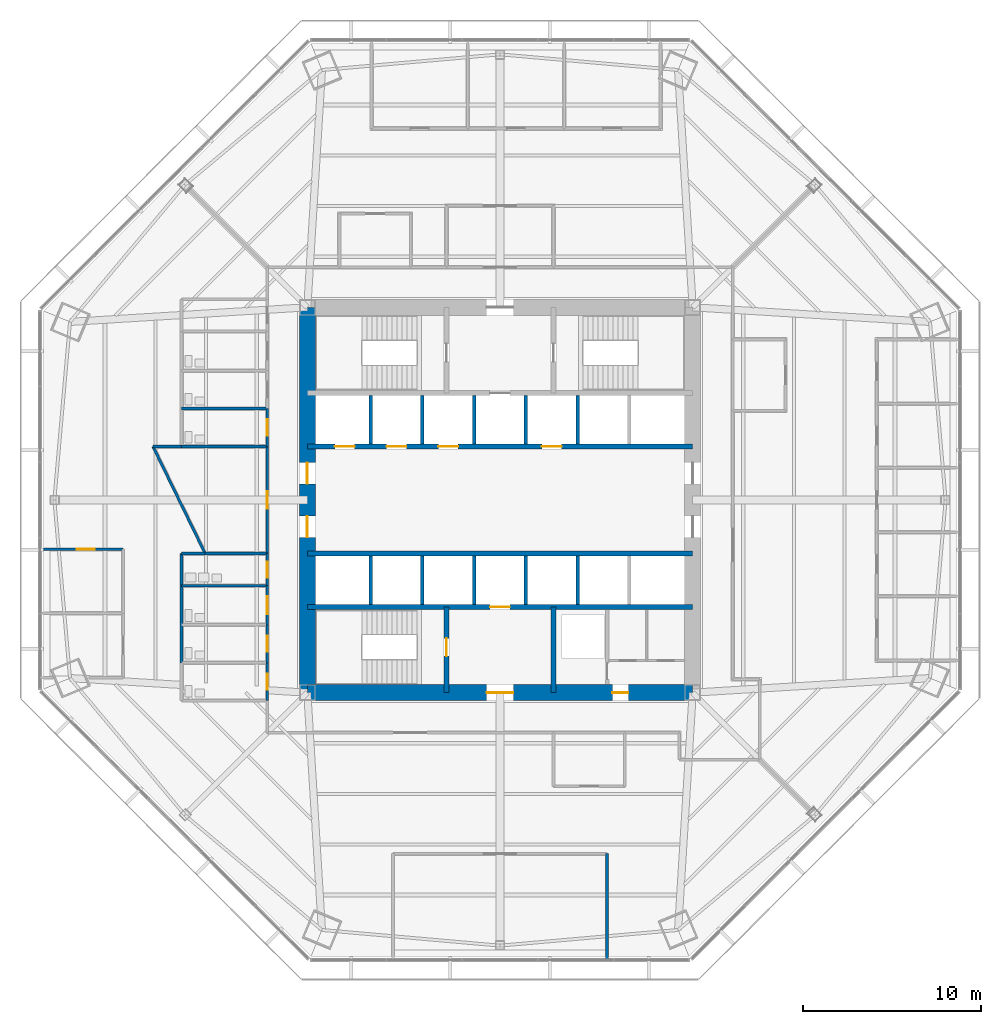
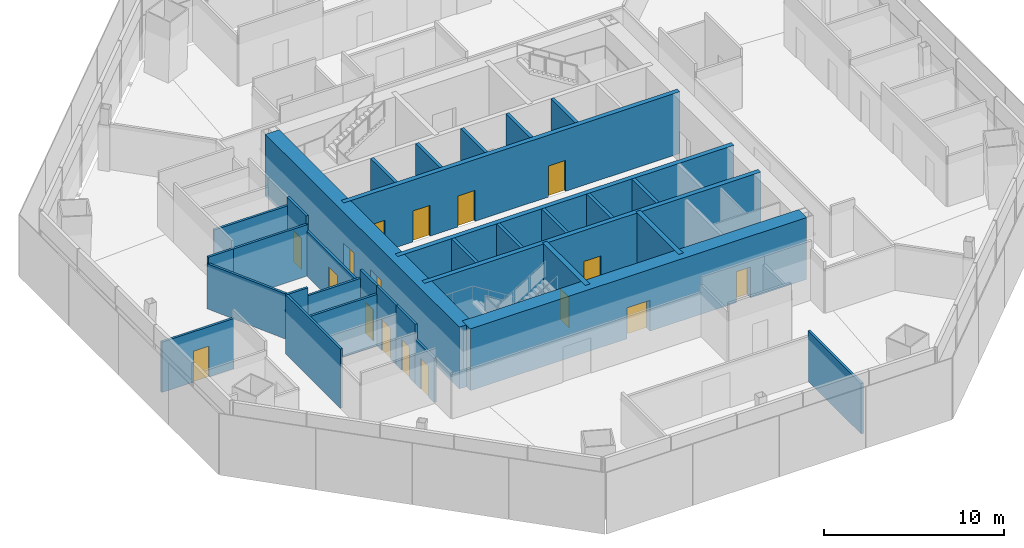
# One storey, part 10 of 16: 33 walls, 17 doors, 17 openings.
"""IFC4 building model written with IfcOpenShell, lengths in metres."""

from ifc_helpers import new_model, si_unit, direction, frame, frame_2d, origin, place, context, subcontext, project, spatial, rectangle, extrude, material, layer, layer_set, type_object, element, fill, save


model = new_model("IFC4")

# Units and contexts
model_context = context("Model", 3, precision=1e-05, world=origin(), true_north=direction((0.0, 1.0)))
body_context = subcontext(model_context, "Body", "Model", "MODEL_VIEW")
ifc_project = project(units=[si_unit("LENGTHUNIT", "METRE"), si_unit("AREAUNIT", "SQUARE_METRE"), si_unit("VOLUMEUNIT", "CUBIC_METRE"), si_unit("PLANEANGLEUNIT", "RADIAN"), si_unit("MASSUNIT", "GRAM", prefix="KILO")], contexts=[model_context])

# Site, building, storey
site_placement = place(None, origin())
site = spatial("IfcSite", under=ifc_project, at=site_placement, CompositionType="ELEMENT")
building_placement = place(site_placement, origin())
building = spatial("IfcBuilding", under=site, at=building_placement, Name="Mashrafa Tower", CompositionType="ELEMENT")
storey_placement = place(building_placement, frame((0.0, 0.0, 79.199951171875)))
storey = spatial("IfcBuildingStorey", under=building, at=storey_placement, Name="L17", CompositionType="ELEMENT", Elevation=79.199951171875)

# Wall, openings, doors
ifc_material_1 = material(Name="Concrete C60/75", Category="concrete")
ifc_layer_1 = layer(ifc_material_1, 0.300048828125)
ifc_layer_set_1 = layer_set([ifc_layer_1], Name="Core wall 300 C60/75")
wall_type_1 = type_object("IfcWallType", Name="Core wall 300 C60/75", PredefinedType="SOLIDWALL", material=ifc_layer_set_1)
wall_1_placement = place(storey_placement, frame((-10.800048828125, 3.0, 0.0), z_axis=(0.0, 0.0, 1.0), x_axis=(1.0, 0.0, 0.0)))
wall_1 = element("IfcWall", 1, at=wall_1_placement, inside=storey, type_object=wall_type_1, Name="Core wall CH-N L17", PredefinedType="SOLIDWALL", context=body_context, shape_type="SweptSolid", body=[
    extrude(rectangle(XDim=21.60009765625, YDim=0.300048828125, at=frame_2d((10.800048828125, 0.0))), origin(), (0.0, 0.0, 1.0), 4.199951171875),
])
opening_1_placement = place(wall_1_placement, frame((1.550048828125, 0.0, 0.0)))
opening_1 = element("IfcOpeningElement", 2, at=opening_1_placement, cuts=wall_1, Name="Opening 17.A1", PredefinedType="OPENING", context=body_context, shape_type="SweptSolid", body=[
    extrude(rectangle(XDim=1.10009765625, YDim=2.10009765625, at=frame_2d((0.550048828125, 1.050048828125))), frame((0.0, 0.159912109375, 0.0), z_axis=(0.0, -1.0, 0.0), x_axis=(1.0, 0.0, 0.0)), (0.0, 0.0, 1.0), 0.320068359375),
])
opening_2_placement = place(wall_1_placement, frame((4.449951171875, 0.0, 0.0)))
opening_2 = element("IfcOpeningElement", 3, at=opening_2_placement, cuts=wall_1, Name="Opening 17.A2", PredefinedType="OPENING", context=body_context, shape_type="SweptSolid", body=[
    extrude(rectangle(XDim=1.10009765625, YDim=2.10009765625, at=frame_2d((0.550048828125, 1.050048828125))), frame((0.0, 0.159912109375, 0.0), z_axis=(0.0, -1.0, 0.0), x_axis=(1.0, 0.0, 0.0)), (0.0, 0.0, 1.0), 0.320068359375),
])
opening_3_placement = place(wall_1_placement, frame((7.35009765625, 0.0, 0.0)))
opening_3 = element("IfcOpeningElement", 4, at=opening_3_placement, cuts=wall_1, Name="Opening 17.A3", PredefinedType="OPENING", context=body_context, shape_type="SweptSolid", body=[
    extrude(rectangle(XDim=1.10009765625, YDim=2.10009765625, at=frame_2d((0.550048828125, 1.050048828125))), frame((0.0, 0.159912109375, 0.0), z_axis=(0.0, -1.0, 0.0), x_axis=(1.0, 0.0, 0.0)), (0.0, 0.0, 1.0), 0.320068359375),
])
opening_4_placement = place(wall_1_placement, frame((13.14990234375, 0.0, 0.0)))
opening_4 = element("IfcOpeningElement", 5, at=opening_4_placement, cuts=wall_1, Name="Opening 17.A4", PredefinedType="OPENING", context=body_context, shape_type="SweptSolid", body=[
    extrude(rectangle(XDim=1.10009765625, YDim=2.10009765625, at=frame_2d((0.550048828125, 1.050048828125))), frame((0.0, 0.159912109375, 0.0), z_axis=(0.0, -1.0, 0.0), x_axis=(1.0, 0.0, 0.0)), (0.0, 0.0, 1.0), 0.320068359375),
])
ifc_material_2 = material(Name="Steel door", Category="steel")
door_type_1 = type_object("IfcDoorType", Name="Lift landing door 1100 x 2100 90 min", OperationType="DOUBLE_DOOR_SLIDING", PredefinedType="DOOR", material=ifc_material_2)
door_1_placement = place(opening_1_placement, origin())
door_1 = element("IfcDoor", 6, at=door_1_placement, inside=storey, type_object=door_type_1, Name="Lift landing door A1 L17", OperationType="DOUBLE_DOOR_SLIDING", OverallHeight=2.10009765625, OverallWidth=1.10009765625, PredefinedType="DOOR", context=body_context, shape_type="SweptSolid", body=[
    extrude(rectangle(XDim=1.10009765625, YDim=2.10009765625, at=frame_2d((0.550048828125, 1.050048828125))), frame((0.0, 0.02490234375, 0.0), z_axis=(0.0, -1.0, 0.0), x_axis=(1.0, 0.0, 0.0)), (0.0, 0.0, 1.0), 0.050048828125),
])
fill(opening_1, door_1)
door_2_placement = place(opening_2_placement, origin())
door_2 = element("IfcDoor", 7, at=door_2_placement, inside=storey, type_object=door_type_1, Name="Lift landing door A2 L17", OperationType="DOUBLE_DOOR_SLIDING", OverallHeight=2.10009765625, OverallWidth=1.10009765625, PredefinedType="DOOR", context=body_context, shape_type="SweptSolid", body=[
    extrude(rectangle(XDim=1.10009765625, YDim=2.10009765625, at=frame_2d((0.550048828125, 1.050048828125))), frame((0.0, 0.02490234375, 0.0), z_axis=(0.0, -1.0, 0.0), x_axis=(1.0, 0.0, 0.0)), (0.0, 0.0, 1.0), 0.050048828125),
])
fill(opening_2, door_2)
door_3_placement = place(opening_3_placement, origin())
door_3 = element("IfcDoor", 8, at=door_3_placement, inside=storey, type_object=door_type_1, Name="Lift landing door A3 L17", OperationType="DOUBLE_DOOR_SLIDING", OverallHeight=2.10009765625, OverallWidth=1.10009765625, PredefinedType="DOOR", context=body_context, shape_type="SweptSolid", body=[
    extrude(rectangle(XDim=1.10009765625, YDim=2.10009765625, at=frame_2d((0.550048828125, 1.050048828125))), frame((0.0, 0.02490234375, 0.0), z_axis=(0.0, -1.0, 0.0), x_axis=(1.0, 0.0, 0.0)), (0.0, 0.0, 1.0), 0.050048828125),
])
fill(opening_3, door_3)
door_4_placement = place(opening_4_placement, origin())
door_4 = element("IfcDoor", 9, at=door_4_placement, inside=storey, type_object=door_type_1, Name="Lift landing door A4 L17", OperationType="DOUBLE_DOOR_SLIDING", OverallHeight=2.10009765625, OverallWidth=1.10009765625, PredefinedType="DOOR", context=body_context, shape_type="SweptSolid", body=[
    extrude(rectangle(XDim=1.10009765625, YDim=2.10009765625, at=frame_2d((0.550048828125, 1.050048828125))), frame((0.0, 0.02490234375, 0.0), z_axis=(0.0, -1.0, 0.0), x_axis=(1.0, 0.0, 0.0)), (0.0, 0.0, 1.0), 0.050048828125),
])
fill(opening_4, door_4)

# Wall
wall_2_placement = place(storey_placement, frame((-10.800048828125, -3.0, 0.0), z_axis=(0.0, 0.0, 1.0), x_axis=(1.0, 0.0, 0.0)))
element("IfcWall", 10, at=wall_2_placement, inside=storey, type_object=wall_type_1, Name="Core wall CH-S L17", PredefinedType="SOLIDWALL", context=body_context, shape_type="SweptSolid", body=[
    extrude(rectangle(XDim=21.60009765625, YDim=0.300048828125, at=frame_2d((10.800048828125, 0.0))), origin(), (0.0, 0.0, 1.0), 4.199951171875),
])

# Wall, opening, door
wall_3_placement = place(storey_placement, frame((-10.800048828125, -6.0, 0.0), z_axis=(0.0, 0.0, 1.0), x_axis=(1.0, 0.0, 0.0)))
wall_3 = element("IfcWall", 11, at=wall_3_placement, inside=storey, type_object=wall_type_1, Name="Core wall CB-S L17", PredefinedType="SOLIDWALL", context=body_context, shape_type="SweptSolid", body=[
    extrude(rectangle(XDim=21.60009765625, YDim=0.300048828125, at=frame_2d((10.800048828125, 0.0))), origin(), (0.0, 0.0, 1.0), 4.199951171875),
])
opening_5_placement = place(wall_3_placement, frame((10.25, 0.0, 0.0)))
opening_5 = element("IfcOpeningElement", 12, at=opening_5_placement, cuts=wall_3, Name="Opening 17.F2", PredefinedType="OPENING", context=body_context, shape_type="SweptSolid", body=[
    extrude(rectangle(XDim=1.10009765625, YDim=2.10009765625, at=frame_2d((0.550048828125, 1.050048828125))), frame((0.0, 0.159912109375, 0.0), z_axis=(0.0, -1.0, 0.0), x_axis=(1.0, 0.0, 0.0)), (0.0, 0.0, 1.0), 0.320068359375),
])
door_5_placement = place(opening_5_placement, origin())
door_5 = element("IfcDoor", 13, at=door_5_placement, inside=storey, type_object=door_type_1, Name="Lift landing door F2 L17", OperationType="DOUBLE_DOOR_SLIDING", OverallHeight=2.10009765625, OverallWidth=1.10009765625, PredefinedType="DOOR", context=body_context, shape_type="SweptSolid", body=[
    extrude(rectangle(XDim=1.10009765625, YDim=2.10009765625, at=frame_2d((0.550048828125, 1.050048828125))), frame((0.0, 0.02490234375, 0.0), z_axis=(0.0, -1.0, 0.0), x_axis=(1.0, 0.0, 0.0)), (0.0, 0.0, 1.0), 0.050048828125),
])
fill(opening_5, door_5)

wall_4_placement = place(storey_placement, frame((-3.0, -6.0, 0.0), z_axis=(0.0, 0.0, 1.0), x_axis=(0.0, -1.0, 0.0)))
wall_4 = element("IfcWall", 14, at=wall_4_placement, inside=storey, type_object=wall_type_1, Name="Core wall CX-SW L17", PredefinedType="SOLIDWALL", context=body_context, shape_type="SweptSolid", body=[
    extrude(rectangle(XDim=4.800048828125, YDim=0.300048828125, at=frame_2d((2.39990234375, 0.0))), origin(), (0.0, 0.0, 1.0), 4.199951171875),
])
opening_6_placement = place(wall_4_placement, frame((1.75, 0.0, 0.0)))
opening_6 = element("IfcOpeningElement", 15, at=opening_6_placement, cuts=wall_4, Name="Opening 17.036", PredefinedType="OPENING", context=body_context, shape_type="SweptSolid", body=[
    extrude(rectangle(XDim=1.0, YDim=2.10009765625, at=frame_2d((0.5, 1.050048828125))), frame((0.0, 0.159912109375, 0.0), z_axis=(0.0, -1.0, 0.0), x_axis=(1.0, 0.0, 0.0)), (0.0, 0.0, 1.0), 0.320068359375),
])
ifc_material_3 = material(Name="Steel door", Category="steel")
door_type_2 = type_object("IfcDoorType", Name="Stair door 1000 x 2100 90 min", OperationType="USERDEFINED", PredefinedType="DOOR", material=ifc_material_3)
door_6_placement = place(opening_6_placement, frame((1.0, 0.0, 0.0), z_axis=(0.0, 0.0, 1.0), x_axis=(-1.0, 0.0, 0.0)))
door_6 = element("IfcDoor", 16, at=door_6_placement, inside=storey, type_object=door_type_2, Name="Stair S3 door L17", OperationType="SINGLE_SWING_RIGHT", OverallHeight=2.10009765625, OverallWidth=1.0, PredefinedType="DOOR", context=body_context, shape_type="SweptSolid", body=[
    extrude(rectangle(XDim=1.0, YDim=2.10009765625, at=frame_2d((0.5, 1.050048828125))), frame((0.0, 0.02490234375, 0.0), z_axis=(0.0, -1.0, 0.0), x_axis=(1.0, 0.0, 0.0)), (0.0, 0.0, 1.0), 0.050048828125),
])
fill(opening_6, door_6)

# Wall
wall_5_placement = place(storey_placement, frame((3.0, -6.0, 0.0), z_axis=(0.0, 0.0, 1.0), x_axis=(0.0, -1.0, 0.0)))
element("IfcWall", 17, at=wall_5_placement, inside=storey, type_object=wall_type_1, Name="Core wall CX-SE L17", PredefinedType="SOLIDWALL", context=body_context, shape_type="SweptSolid", body=[
    extrude(rectangle(XDim=4.800048828125, YDim=0.300048828125, at=frame_2d((2.39990234375, 0.0))), origin(), (0.0, 0.0, 1.0), 4.199951171875),
])

# Wall, openings, doors
ifc_material_4 = material(Name="Concrete C60/75", Category="concrete")
ifc_layer_2 = layer(ifc_material_4, 0.89990234375)
ifc_layer_set_2 = layer_set([ifc_layer_2], Name="Core wall 900 C60/75")
wall_type_2 = type_object("IfcWallType", Name="Core wall 900 C60/75", PredefinedType="SOLIDWALL", material=ifc_layer_set_2)
wall_6_placement = place(storey_placement, frame((-10.800048828125, -10.800048828125, 0.0), z_axis=(0.0, 0.0, 1.0), x_axis=(1.0, 0.0, 0.0)))
wall_6 = element("IfcWall", 18, at=wall_6_placement, inside=storey, type_object=wall_type_2, Name="Core wall CW-S L17", PredefinedType="SOLIDWALL", context=body_context, shape_type="SweptSolid", body=[
    extrude(rectangle(XDim=21.60009765625, YDim=0.89990234375, at=frame_2d((10.800048828125, 0.0))), origin(), (0.0, 0.0, 1.0), 4.199951171875),
])
opening_7_placement = place(wall_6_placement, frame((10.050048828125, 0.0, 0.0)))
opening_7 = element("IfcOpeningElement", 19, at=opening_7_placement, cuts=wall_6, Name="Opening 17.033", PredefinedType="OPENING", context=body_context, shape_type="SweptSolid", body=[
    extrude(rectangle(XDim=1.5, YDim=2.10009765625, at=frame_2d((0.75, 1.050048828125))), frame((0.0, 0.4599609375, 0.0), z_axis=(0.0, -1.0, 0.0), x_axis=(1.0, 0.0, 0.0)), (0.0, 0.0, 1.0), 0.919921875),
])
opening_8_placement = place(wall_6_placement, frame((17.10009765625, 0.0, 0.0)))
opening_8 = element("IfcOpeningElement", 20, at=opening_8_placement, cuts=wall_6, Name="Opening 17.037", PredefinedType="OPENING", context=body_context, shape_type="SweptSolid", body=[
    extrude(rectangle(XDim=0.89990234375, YDim=2.10009765625, at=frame_2d((0.449951171875, 1.050048828125))), frame((0.0, 0.4599609375, 0.0), z_axis=(0.0, -1.0, 0.0), x_axis=(1.0, 0.0, 0.0)), (0.0, 0.0, 1.0), 0.919921875),
])
ifc_material_5 = material(Name="Steel door", Category="steel")
door_type_3 = type_object("IfcDoorType", Name="Lobby door pair 1500 x 2100 90 min", OperationType="DOUBLE_DOOR_SINGLE_SWING", PredefinedType="DOOR", material=ifc_material_5)
door_7_placement = place(opening_7_placement, origin())
door_7 = element("IfcDoor", 21, at=door_7_placement, inside=storey, type_object=door_type_3, Name="Fire-fighting lobby F2 door L17", OperationType="DOUBLE_DOOR_SINGLE_SWING", OverallHeight=2.10009765625, OverallWidth=1.5, PredefinedType="DOOR", context=body_context, shape_type="SweptSolid", body=[
    extrude(rectangle(XDim=1.5, YDim=2.10009765625, at=frame_2d((0.75, 1.050048828125))), frame((0.0, 0.02490234375, 0.0), z_axis=(0.0, -1.0, 0.0), x_axis=(1.0, 0.0, 0.0)), (0.0, 0.0, 1.0), 0.050048828125),
])
fill(opening_7, door_7)
ifc_material_6 = material(Name="Steel door", Category="steel")
door_type_4 = type_object("IfcDoorType", Name="Service door 900 x 2100 90 min", OperationType="USERDEFINED", PredefinedType="DOOR", material=ifc_material_6)
door_8_placement = place(opening_8_placement, frame((0.89990234375, 0.0, 0.0), z_axis=(0.0, 0.0, 1.0), x_axis=(-1.0, 0.0, 0.0)))
door_8 = element("IfcDoor", 22, at=door_8_placement, inside=storey, type_object=door_type_4, Name="Services Lobby L17 door", OperationType="SINGLE_SWING_LEFT", OverallHeight=2.10009765625, OverallWidth=0.89990234375, PredefinedType="DOOR", context=body_context, shape_type="SweptSolid", body=[
    extrude(rectangle(XDim=0.89990234375, YDim=2.10009765625, at=frame_2d((0.449951171875, 1.050048828125))), frame((0.0, 0.02490234375, 0.0), z_axis=(0.0, -1.0, 0.0), x_axis=(1.0, 0.0, 0.0)), (0.0, 0.0, 1.0), 0.050048828125),
])
fill(opening_8, door_8)

wall_7_placement = place(storey_placement, frame((-10.800048828125, 10.800048828125, 0.0), z_axis=(0.0, 0.0, 1.0), x_axis=(0.0, -1.0, 0.0)))
wall_7 = element("IfcWall", 23, at=wall_7_placement, inside=storey, type_object=wall_type_2, Name="Core wall CW-W L17", PredefinedType="SOLIDWALL", context=body_context, shape_type="SweptSolid", body=[
    extrude(rectangle(XDim=21.60009765625, YDim=0.89990234375, at=frame_2d((10.800048828125, 0.0))), origin(), (0.0, 0.0, 1.0), 4.199951171875),
])
opening_9_placement = place(wall_7_placement, frame((8.699951171875, 0.0, 0.0)))
opening_9 = element("IfcOpeningElement", 24, at=opening_9_placement, cuts=wall_7, Name="Opening 17.029", PredefinedType="OPENING", context=body_context, shape_type="SweptSolid", body=[
    extrude(rectangle(XDim=1.199951171875, YDim=2.10009765625, at=frame_2d((0.60009765625, 1.050048828125))), frame((0.0, 0.4599609375, 0.0), z_axis=(0.0, -1.0, 0.0), x_axis=(1.0, 0.0, 0.0)), (0.0, 0.0, 1.0), 0.919921875),
])
opening_10_placement = place(wall_7_placement, frame((11.699951171875, 0.0, 0.0)))
opening_10 = element("IfcOpeningElement", 25, at=opening_10_placement, cuts=wall_7, Name="Opening 17.031", PredefinedType="OPENING", context=body_context, shape_type="SweptSolid", body=[
    extrude(rectangle(XDim=1.199951171875, YDim=2.10009765625, at=frame_2d((0.60009765625, 1.050048828125))), frame((0.0, 0.4599609375, 0.0), z_axis=(0.0, -1.0, 0.0), x_axis=(1.0, 0.0, 0.0)), (0.0, 0.0, 1.0), 0.919921875),
])
ifc_material_7 = material(Name="Steel door", Category="steel")
door_type_5 = type_object("IfcDoorType", Name="Lift hall door 1200 x 2100 90 min", OperationType="USERDEFINED", PredefinedType="DOOR", material=ifc_material_7)
door_9_placement = place(opening_9_placement, frame((1.199951171875, 0.0, 0.0), z_axis=(0.0, 0.0, 1.0), x_axis=(-1.0, 0.0, 0.0)))
door_9 = element("IfcDoor", 26, at=door_9_placement, inside=storey, type_object=door_type_5, Name="Lift hall door west L17", OperationType="SINGLE_SWING_RIGHT", OverallHeight=2.10009765625, OverallWidth=1.199951171875, PredefinedType="DOOR", context=body_context, shape_type="SweptSolid", body=[
    extrude(rectangle(XDim=1.199951171875, YDim=2.10009765625, at=frame_2d((0.60009765625, 1.050048828125))), frame((0.0, 0.02490234375, 0.0), z_axis=(0.0, -1.0, 0.0), x_axis=(1.0, 0.0, 0.0)), (0.0, 0.0, 1.0), 0.050048828125),
])
fill(opening_9, door_9)
door_10_placement = place(opening_10_placement, frame((1.199951171875, 0.0, 0.0), z_axis=(0.0, 0.0, 1.0), x_axis=(-1.0, 0.0, 0.0)))
door_10 = element("IfcDoor", 27, at=door_10_placement, inside=storey, type_object=door_type_5, Name="Lift hall door west L17", OperationType="SINGLE_SWING_LEFT", OverallHeight=2.10009765625, OverallWidth=1.199951171875, PredefinedType="DOOR", context=body_context, shape_type="SweptSolid", body=[
    extrude(rectangle(XDim=1.199951171875, YDim=2.10009765625, at=frame_2d((0.60009765625, 1.050048828125))), frame((0.0, 0.02490234375, 0.0), z_axis=(0.0, -1.0, 0.0), x_axis=(1.0, 0.0, 0.0)), (0.0, 0.0, 1.0), 0.050048828125),
])
fill(opening_10, door_10)

# Wall, opening, door
ifc_material_8 = material(Name="Gypsum board on steel studs", Category="steel")
ifc_layer_3 = layer(ifc_material_8, 0.14990234375)
ifc_layer_set_3 = layer_set([ifc_layer_3], Name="Corridor partition 150 1 hr")
wall_type_3 = type_object("IfcWallType", Name="Corridor partition 150 1 hr", PredefinedType="PARTITIONING", material=ifc_layer_set_3)
wall_8_placement = place(storey_placement, frame((-13.050048828125, 5.1259765625, 0.0), z_axis=(0.0, 0.0, 1.0), x_axis=(0.0, -1.0, 0.0)))
wall_8 = element("IfcWall", 28, at=wall_8_placement, inside=storey, type_object=wall_type_3, Name="Corridor wall L17-001", PredefinedType="PARTITIONING", context=body_context, shape_type="SweptSolid", body=[
    extrude(rectangle(XDim=2.126953125, YDim=0.14990234375, at=frame_2d((1.0634765625, 0.0))), origin(), (0.0, 0.0, 1.0), 4.03515625),
])
opening_11_placement = place(wall_8_placement, frame((0.613525390625, 0.0, 0.0)))
opening_11 = element("IfcOpeningElement", 29, at=opening_11_placement, cuts=wall_8, Name="Opening 17.001", PredefinedType="OPENING", context=body_context, shape_type="SweptSolid", body=[
    extrude(rectangle(XDim=0.89990234375, YDim=2.10009765625, at=frame_2d((0.449951171875, 1.050048828125))), frame((0.0, 0.0849609375, 0.0), z_axis=(0.0, -1.0, 0.0), x_axis=(1.0, 0.0, 0.0)), (0.0, 0.0, 1.0), 0.169921875),
])
ifc_material_9 = material(Name="Timber door", Category="wood")
door_type_6 = type_object("IfcDoorType", Name="Toilet door 900 x 2100", OperationType="USERDEFINED", PredefinedType="DOOR", material=ifc_material_9)
door_11_placement = place(opening_11_placement, frame((0.89990234375, 0.0, 0.0), z_axis=(0.0, 0.0, 1.0), x_axis=(-1.0, 0.0, 0.0)))
door_11 = element("IfcDoor", 30, at=door_11_placement, inside=storey, type_object=door_type_6, Name="WC Female L17 N door", OperationType="SINGLE_SWING_RIGHT", OverallHeight=2.10009765625, OverallWidth=0.89990234375, PredefinedType="DOOR", context=body_context, shape_type="SweptSolid", body=[
    extrude(rectangle(XDim=0.89990234375, YDim=2.10009765625, at=frame_2d((0.449951171875, 1.050048828125))), frame((0.0, 0.02490234375, 0.0), z_axis=(0.0, -1.0, 0.0), x_axis=(1.0, 0.0, 0.0)), (0.0, 0.0, 1.0), 0.050048828125),
])
fill(opening_11, door_11)

wall_9_placement = place(storey_placement, frame((-13.050048828125, -9.1240234375, 0.0), z_axis=(0.0, 0.0, 1.0), x_axis=(0.0, -1.0, 0.0)))
wall_9 = element("IfcWall", 31, at=wall_9_placement, inside=storey, type_object=wall_type_3, Name="Corridor wall L17-005", PredefinedType="PARTITIONING", context=body_context, shape_type="SweptSolid", body=[
    extrude(rectangle(XDim=2.126953125, YDim=0.14990234375, at=frame_2d((1.0634765625, 0.0))), origin(), (0.0, 0.0, 1.0), 3.01416015625),
])
opening_12_placement = place(wall_9_placement, frame((0.613525390625, 0.0, 0.0)))
opening_12 = element("IfcOpeningElement", 32, at=opening_12_placement, cuts=wall_9, Name="Opening 17.005", PredefinedType="OPENING", context=body_context, shape_type="SweptSolid", body=[
    extrude(rectangle(XDim=0.89990234375, YDim=2.10009765625, at=frame_2d((0.449951171875, 1.050048828125))), frame((0.0, 0.0849609375, 0.0), z_axis=(0.0, -1.0, 0.0), x_axis=(1.0, 0.0, 0.0)), (0.0, 0.0, 1.0), 0.169921875),
])
door_12_placement = place(opening_12_placement, frame((0.89990234375, 0.0, 0.0), z_axis=(0.0, 0.0, 1.0), x_axis=(-1.0, 0.0, 0.0)))
door_12 = element("IfcDoor", 33, at=door_12_placement, inside=storey, type_object=door_type_6, Name="WC Female L17 S door", OperationType="SINGLE_SWING_RIGHT", OverallHeight=2.10009765625, OverallWidth=0.89990234375, PredefinedType="DOOR", context=body_context, shape_type="SweptSolid", body=[
    extrude(rectangle(XDim=0.89990234375, YDim=2.10009765625, at=frame_2d((0.449951171875, 1.050048828125))), frame((0.0, 0.02490234375, 0.0), z_axis=(0.0, -1.0, 0.0), x_axis=(1.0, 0.0, 0.0)), (0.0, 0.0, 1.0), 0.050048828125),
])
fill(opening_12, door_12)

wall_10_placement = place(storey_placement, frame((-13.050048828125, -6.9990234375, 0.0), z_axis=(0.0, 0.0, 1.0), x_axis=(0.0, -1.0, 0.0)))
wall_10 = element("IfcWall", 34, at=wall_10_placement, inside=storey, type_object=wall_type_3, Name="Corridor wall L17-006", PredefinedType="PARTITIONING", context=body_context, shape_type="SweptSolid", body=[
    extrude(rectangle(XDim=2.126953125, YDim=0.14990234375, at=frame_2d((1.0634765625, 0.0))), origin(), (0.0, 0.0, 1.0), 4.03515625),
])
opening_13_placement = place(wall_10_placement, frame((0.613525390625, 0.0, 0.0)))
opening_13 = element("IfcOpeningElement", 35, at=opening_13_placement, cuts=wall_10, Name="Opening 17.006", PredefinedType="OPENING", context=body_context, shape_type="SweptSolid", body=[
    extrude(rectangle(XDim=0.89990234375, YDim=2.10009765625, at=frame_2d((0.449951171875, 1.050048828125))), frame((0.0, 0.0849609375, 0.0), z_axis=(0.0, -1.0, 0.0), x_axis=(1.0, 0.0, 0.0)), (0.0, 0.0, 1.0), 0.169921875),
])
door_13_placement = place(opening_13_placement, frame((0.89990234375, 0.0, 0.0), z_axis=(0.0, 0.0, 1.0), x_axis=(-1.0, 0.0, 0.0)))
door_13 = element("IfcDoor", 36, at=door_13_placement, inside=storey, type_object=door_type_6, Name="WC Male L17 S door", OperationType="SINGLE_SWING_RIGHT", OverallHeight=2.10009765625, OverallWidth=0.89990234375, PredefinedType="DOOR", context=body_context, shape_type="SweptSolid", body=[
    extrude(rectangle(XDim=0.89990234375, YDim=2.10009765625, at=frame_2d((0.449951171875, 1.050048828125))), frame((0.0, 0.02490234375, 0.0), z_axis=(0.0, -1.0, 0.0), x_axis=(1.0, 0.0, 0.0)), (0.0, 0.0, 1.0), 0.050048828125),
])
fill(opening_13, door_13)

wall_11_placement = place(storey_placement, frame((-13.050048828125, -4.799072265625, 0.0), z_axis=(0.0, 0.0, 1.0), x_axis=(0.0, -1.0, 0.0)))
wall_11 = element("IfcWall", 37, at=wall_11_placement, inside=storey, type_object=wall_type_3, Name="Corridor wall L17-007", PredefinedType="PARTITIONING", context=body_context, shape_type="SweptSolid", body=[
    extrude(rectangle(XDim=2.201904296875, YDim=0.14990234375, at=frame_2d((1.10107421875, 0.0))), origin(), (0.0, 0.0, 1.0), 4.03515625),
])
opening_14_placement = place(wall_11_placement, frame((0.60107421875, 0.0, 0.0)))
opening_14 = element("IfcOpeningElement", 38, at=opening_14_placement, cuts=wall_11, Name="Opening 17.007", PredefinedType="OPENING", context=body_context, shape_type="SweptSolid", body=[
    extrude(rectangle(XDim=1.0, YDim=2.10009765625, at=frame_2d((0.5, 1.050048828125))), frame((0.0, 0.0849609375, 0.0), z_axis=(0.0, -1.0, 0.0), x_axis=(1.0, 0.0, 0.0)), (0.0, 0.0, 1.0), 0.169921875),
])
ifc_material_10 = material(Name="Timber door", Category="wood")
door_type_7 = type_object("IfcDoorType", Name="Accessible toilet door 1000 x 2100", OperationType="USERDEFINED", PredefinedType="DOOR", material=ifc_material_10)
door_14_placement = place(opening_14_placement, frame((1.0, 0.0, 0.0), z_axis=(0.0, 0.0, 1.0), x_axis=(-1.0, 0.0, 0.0)))
door_14 = element("IfcDoor", 39, at=door_14_placement, inside=storey, type_object=door_type_7, Name="Accessible WC L17 S door", OperationType="SINGLE_SWING_LEFT", OverallHeight=2.10009765625, OverallWidth=1.0, PredefinedType="DOOR", context=body_context, shape_type="SweptSolid", body=[
    extrude(rectangle(XDim=1.0, YDim=2.10009765625, at=frame_2d((0.5, 1.050048828125))), frame((0.0, 0.02490234375, 0.0), z_axis=(0.0, -1.0, 0.0), x_axis=(1.0, 0.0, 0.0)), (0.0, 0.0, 1.0), 0.050048828125),
])
fill(opening_14, door_14)

wall_12_placement = place(storey_placement, frame((-13.050048828125, -2.9990234375, 0.0), z_axis=(0.0, 0.0, 1.0), x_axis=(0.0, -1.0, 0.0)))
wall_12 = element("IfcWall", 40, at=wall_12_placement, inside=storey, type_object=wall_type_3, Name="Corridor wall L17-008", PredefinedType="PARTITIONING", context=body_context, shape_type="SweptSolid", body=[
    extrude(rectangle(XDim=1.802001953125, YDim=0.14990234375, at=frame_2d((0.90087890625, 0.0))), origin(), (0.0, 0.0, 1.0), 4.03515625),
])
opening_15_placement = place(wall_12_placement, frame((0.450927734375, 0.0, 0.0)))
opening_15 = element("IfcOpeningElement", 41, at=opening_15_placement, cuts=wall_12, Name="Opening 17.008", PredefinedType="OPENING", context=body_context, shape_type="SweptSolid", body=[
    extrude(rectangle(XDim=0.89990234375, YDim=2.10009765625, at=frame_2d((0.449951171875, 1.050048828125))), frame((0.0, 0.0849609375, 0.0), z_axis=(0.0, -1.0, 0.0), x_axis=(1.0, 0.0, 0.0)), (0.0, 0.0, 1.0), 0.169921875),
])
door_15_placement = place(opening_15_placement, frame((0.89990234375, 0.0, 0.0), z_axis=(0.0, 0.0, 1.0), x_axis=(-1.0, 0.0, 0.0)))
door_15 = element("IfcDoor", 42, at=door_15_placement, inside=storey, type_object=door_type_6, Name="Ablution Room L17 S door", OperationType="SINGLE_SWING_RIGHT", OverallHeight=2.10009765625, OverallWidth=0.89990234375, PredefinedType="DOOR", context=body_context, shape_type="SweptSolid", body=[
    extrude(rectangle(XDim=0.89990234375, YDim=2.10009765625, at=frame_2d((0.449951171875, 1.050048828125))), frame((0.0, 0.02490234375, 0.0), z_axis=(0.0, -1.0, 0.0), x_axis=(1.0, 0.0, 0.0)), (0.0, 0.0, 1.0), 0.050048828125),
])
fill(opening_15, door_15)

wall_13_placement = place(storey_placement, frame((-13.050048828125, 3.0009765625, 0.0), z_axis=(0.0, 0.0, 1.0), x_axis=(0.0, -1.0, 0.0)))
wall_13 = element("IfcWall", 43, at=wall_13_placement, inside=storey, type_object=wall_type_3, Name="Corridor wall L17-009", PredefinedType="PARTITIONING", context=body_context, shape_type="SweptSolid", body=[
    extrude(rectangle(XDim=6.001953125, YDim=0.14990234375, at=frame_2d((3.0009765625, 0.0))), origin(), (0.0, 0.0, 1.0), 3.06494140625),
])
opening_16_placement = place(wall_13_placement, frame((2.5009765625, 0.0, 0.0)))
opening_16 = element("IfcOpeningElement", 44, at=opening_16_placement, cuts=wall_13, Name="Opening 17.009", PredefinedType="OPENING", context=body_context, shape_type="SweptSolid", body=[
    extrude(rectangle(XDim=1.0, YDim=2.10009765625, at=frame_2d((0.5, 1.050048828125))), frame((0.0, 0.0849609375, 0.0), z_axis=(0.0, -1.0, 0.0), x_axis=(1.0, 0.0, 0.0)), (0.0, 0.0, 1.0), 0.169921875),
])
ifc_material_11 = material(Name="Timber door", Category="wood")
door_type_8 = type_object("IfcDoorType", Name="Door 1000 x 2100", OperationType="USERDEFINED", PredefinedType="DOOR", material=ifc_material_11)
door_16_placement = place(opening_16_placement, frame((1.0, 0.0, 0.0), z_axis=(0.0, 0.0, 1.0), x_axis=(-1.0, 0.0, 0.0)))
door_16 = element("IfcDoor", 45, at=door_16_placement, inside=storey, type_object=door_type_8, Name="Musallah Prayer Room 17 door", OperationType="SINGLE_SWING_LEFT", OverallHeight=2.10009765625, OverallWidth=1.0, PredefinedType="DOOR", context=body_context, shape_type="SweptSolid", body=[
    extrude(rectangle(XDim=1.0, YDim=2.10009765625, at=frame_2d((0.5, 1.050048828125))), frame((0.0, 0.02490234375, 0.0), z_axis=(0.0, -1.0, 0.0), x_axis=(1.0, 0.0, 0.0)), (0.0, 0.0, 1.0), 0.050048828125),
])
fill(opening_16, door_16)

# Walls
ifc_material_12 = material(Name="Gypsum board on steel studs", Category="steel")
ifc_layer_4 = layer(ifc_material_12, 0.14990234375)
ifc_layer_set_4 = layer_set([ifc_layer_4], Name="Partition 150")
wall_type_4 = type_object("IfcWallType", Name="Partition 150", PredefinedType="PARTITIONING", material=ifc_layer_set_4)
for number, where, z_axis, x_axis, name in (
    (46, (-13.050048828125, 5.125, 0.0), (0.0, 0.0, 1.0), (-1.0, 0.0, 0.0), "Partition wall L17-027"),
    (47, (-17.85009765625, 3.0, 0.0), (0.0, 0.0, 1.0), (1.0, 0.0, 0.0), "Partition wall L17-028"),
):
    element("IfcWall", number, at=place(storey_placement, frame(where, z_axis=z_axis, x_axis=x_axis)), inside=storey, type_object=wall_type_4, Name=name, PredefinedType="PARTITIONING", context=body_context, shape_type="SweptSolid", body=[
        extrude(rectangle(XDim=4.800048828125, YDim=0.14990234375, at=frame_2d((2.39990234375, 0.0))), origin(), (0.0, 0.0, 1.0), 3.49169921875),
    ])
wall_14_placement = place(storey_placement, frame((-17.85009765625, -9.125, 0.0), z_axis=(0.0, 0.0, 1.0), x_axis=(0.0, 1.0, 0.0)))
element("IfcWall", 48, at=wall_14_placement, inside=storey, type_object=wall_type_4, Name="Partition wall L17-040", PredefinedType="PARTITIONING", context=body_context, shape_type="SweptSolid", body=[
    extrude(rectangle(XDim=6.125, YDim=0.14990234375, at=frame_2d((3.0625, 0.0))), origin(), (0.0, 0.0, 1.0), 4.03515625),
])
wall_15_placement = place(storey_placement, frame((-13.050048828125, -4.800048828125, 0.0), z_axis=(0.0, 0.0, 1.0), x_axis=(-1.0, 0.0, 0.0)))
element("IfcWall", 49, at=wall_15_placement, inside=storey, type_object=wall_type_4, Name="Partition wall L17-041", PredefinedType="PARTITIONING", context=body_context, shape_type="SweptSolid", body=[
    extrude(rectangle(XDim=4.800048828125, YDim=0.14990234375, at=frame_2d((2.39990234375, 0.0))), origin(), (0.0, 0.0, 1.0), 3.49169921875),
])
wall_16_placement = place(storey_placement, frame((-13.050048828125, -3.0, 0.0), z_axis=(0.0, 0.0, 1.0), x_axis=(-1.0, 0.0, 0.0)))
element("IfcWall", 50, at=wall_16_placement, inside=storey, type_object=wall_type_4, Name="Partition wall L17-043", PredefinedType="PARTITIONING", context=body_context, shape_type="SweptSolid", body=[
    extrude(rectangle(XDim=3.474609375, YDim=0.14990234375, at=frame_2d((1.7373046875, 0.0))), origin(), (0.0, 0.0, 1.0), 3.49169921875),
])
wall_17_placement = place(storey_placement, frame((-16.5224609375, -3.0, 0.0), z_axis=(0.0, 0.0, 1.0), x_axis=(-1.0, 0.0, 0.0)))
element("IfcWall", 51, at=wall_17_placement, inside=storey, type_object=wall_type_4, Name="Partition wall L17-044", PredefinedType="PARTITIONING", context=body_context, shape_type="SweptSolid", body=[
    extrude(rectangle(XDim=1.32763671875, YDim=0.14990234375, at=frame_2d((0.663818359375, 0.0))), origin(), (0.0, 0.0, 1.0), 4.03515625),
])
wall_18_placement = place(storey_placement, frame((-17.84912109375, 3.0, 0.0), z_axis=(0.0, 0.0, 1.0), x_axis=(-1.0, 0.0, 0.0)))
element("IfcWall", 52, at=wall_18_placement, inside=storey, type_object=wall_type_4, Name="Partition wall L17-046", PredefinedType="PARTITIONING", context=body_context, shape_type="SweptSolid", body=[
    extrude(rectangle(XDim=1.600830078125, YDim=0.14990234375, at=frame_2d((0.80029296875, 0.0))), origin(), (0.0, 0.0, 1.0), 3.496826171875),
])
wall_19_placement = place(storey_placement, frame((-19.449951171875, 3.0, 0.0), z_axis=(0.0, 0.0, 1.0), x_axis=(0.43835589904, -0.898801482963, 0.0)))
element("IfcWall", 53, at=wall_19_placement, inside=storey, type_object=wall_type_4, Name="Partition wall L17-047", PredefinedType="PARTITIONING", context=body_context, shape_type="SweptSolid", body=[
    extrude(rectangle(XDim=6.675537109375, YDim=0.14990234375, at=frame_2d((3.337890625, 0.0))), origin(), (0.0, 0.0, 1.0), 3.06494140625),
])
wall_20_placement = place(storey_placement, frame((6.0, -25.75634765625, 0.0), z_axis=(0.0, 0.0, 1.0), x_axis=(0.0, 1.0, 0.0)))
element("IfcWall", 54, at=wall_20_placement, inside=storey, type_object=wall_type_4, Name="Partition wall L17-057", PredefinedType="PARTITIONING", context=body_context, shape_type="SweptSolid", body=[
    extrude(rectangle(XDim=5.93212890625, YDim=0.14990234375, at=frame_2d((2.966064453125, 0.0))), origin(), (0.0, 0.0, 1.0), 3.423095703125),
])

# Wall, opening, door
wall_21_placement = place(storey_placement, frame((-21.124267578125, -2.756103515625, 0.0), z_axis=(0.0, 0.0, 1.0), x_axis=(-1.0, 0.0, 0.0)))
wall_21 = element("IfcWall", 55, at=wall_21_placement, inside=storey, type_object=wall_type_4, Name="Partition wall L17-086", PredefinedType="PARTITIONING", context=body_context, shape_type="SweptSolid", body=[
    extrude(rectangle(XDim=4.634033203125, YDim=0.14990234375, at=frame_2d((2.31689453125, 0.0))), origin(), (0.0, 0.0, 1.0), 3.423095703125),
])
opening_17_placement = place(wall_21_placement, frame((1.60009765625, 0.0, 0.0)))
opening_17 = element("IfcOpeningElement", 56, at=opening_17_placement, cuts=wall_21, Name="Opening 17.023", PredefinedType="OPENING", context=body_context, shape_type="SweptSolid", body=[
    extrude(rectangle(XDim=1.0, YDim=2.10009765625, at=frame_2d((0.5, 1.050048828125))), frame((0.0, 0.0849609375, 0.0), z_axis=(0.0, -1.0, 0.0), x_axis=(1.0, 0.0, 0.0)), (0.0, 0.0, 1.0), 0.169921875),
])
door_17_placement = place(opening_17_placement, origin())
door_17 = element("IfcDoor", 57, at=door_17_placement, inside=storey, type_object=door_type_8, Name="Office 17-S-1 door", OperationType="SINGLE_SWING_RIGHT", OverallHeight=2.10009765625, OverallWidth=1.0, PredefinedType="DOOR", context=body_context, shape_type="SweptSolid", body=[
    extrude(rectangle(XDim=1.0, YDim=2.10009765625, at=frame_2d((0.5, 1.050048828125))), frame((0.0, 0.02490234375, 0.0), z_axis=(0.0, -1.0, 0.0), x_axis=(1.0, 0.0, 0.0)), (0.0, 0.0, 1.0), 0.050048828125),
])
fill(opening_17, door_17)

# Walls
ifc_material_13 = material(Name="Gypsum shaft wall on steel studs", Category="steel")
ifc_layer_5 = layer(ifc_material_13, 0.199951171875)
ifc_layer_set_5 = layer_set([ifc_layer_5], Name="Shaft divider wall 200 2 hr")
wall_type_5 = type_object("IfcWallType", Name="Shaft divider wall 200 2 hr", PredefinedType="PARTITIONING", material=ifc_layer_set_5)
for number, where, z_axis, x_axis, name in (
    (58, (-7.25, 3.14990234375, 0.0), (0.0, 0.0, 1.0), (0.0, 1.0, 0.0), "Shaft divider wall N1 L17"),
    (59, (-4.35009765625, 3.14990234375, 0.0), (0.0, 0.0, 1.0), (0.0, 1.0, 0.0), "Shaft divider wall N2 L17"),
    (60, (-1.449951171875, 3.14990234375, 0.0), (0.0, 0.0, 1.0), (0.0, 1.0, 0.0), "Shaft divider wall N3 L17"),
    (61, (1.449951171875, 3.14990234375, 0.0), (0.0, 0.0, 1.0), (0.0, 1.0, 0.0), "Shaft divider wall N4 L17"),
    (62, (4.35009765625, 3.14990234375, 0.0), (0.0, 0.0, 1.0), (0.0, 1.0, 0.0), "Shaft divider wall N5 L17"),
    (63, (-7.25, -5.85009765625, 0.0), (0.0, 0.0, 1.0), (0.0, 1.0, 0.0), "Shaft divider wall S1 L17"),
    (64, (-4.35009765625, -5.85009765625, 0.0), (0.0, 0.0, 1.0), (0.0, 1.0, 0.0), "Shaft divider wall S2 L17"),
    (65, (-1.449951171875, -5.85009765625, 0.0), (0.0, 0.0, 1.0), (0.0, 1.0, 0.0), "Shaft divider wall S3 L17"),
    (66, (1.449951171875, -5.85009765625, 0.0), (0.0, 0.0, 1.0), (0.0, 1.0, 0.0), "Shaft divider wall S4 L17"),
    (67, (4.35009765625, -5.85009765625, 0.0), (0.0, 0.0, 1.0), (0.0, 1.0, 0.0), "Shaft divider wall S5 L17"),
):
    element("IfcWall", number, at=place(storey_placement, frame(where, z_axis=z_axis, x_axis=x_axis)), inside=storey, type_object=wall_type_5, Name=name, PredefinedType="PARTITIONING", context=body_context, shape_type="SweptSolid", body=[
        extrude(rectangle(XDim=2.7001953125, YDim=0.199951171875, at=frame_2d((1.35009765625, 0.0))), origin(), (0.0, 0.0, 1.0), 4.199951171875),
    ])

save(model, "model.ifc")
